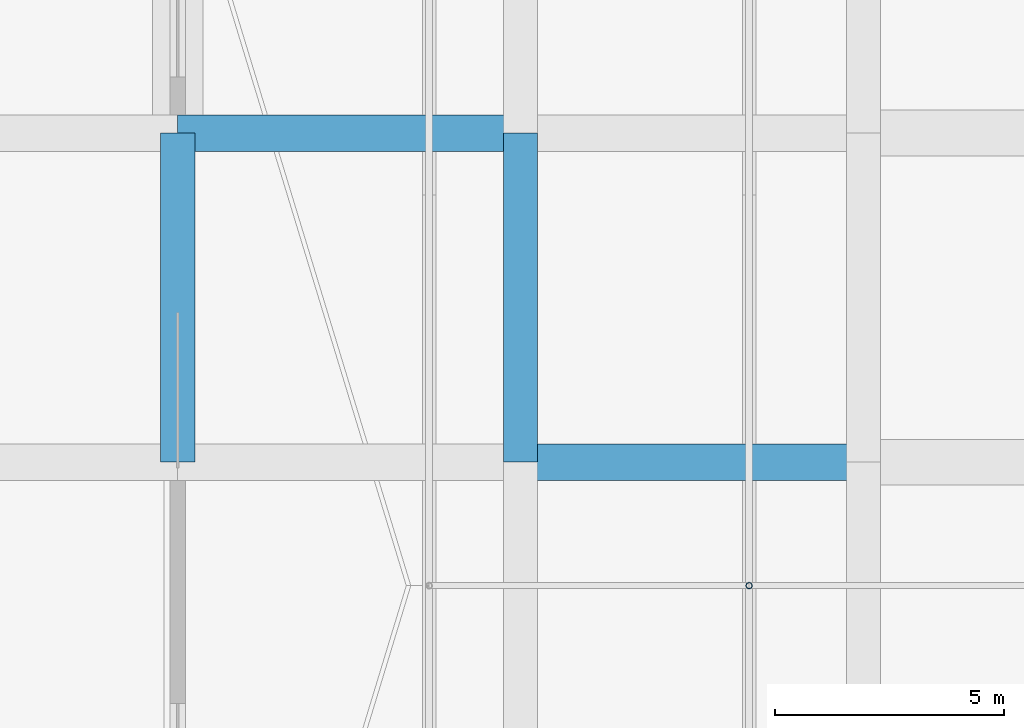
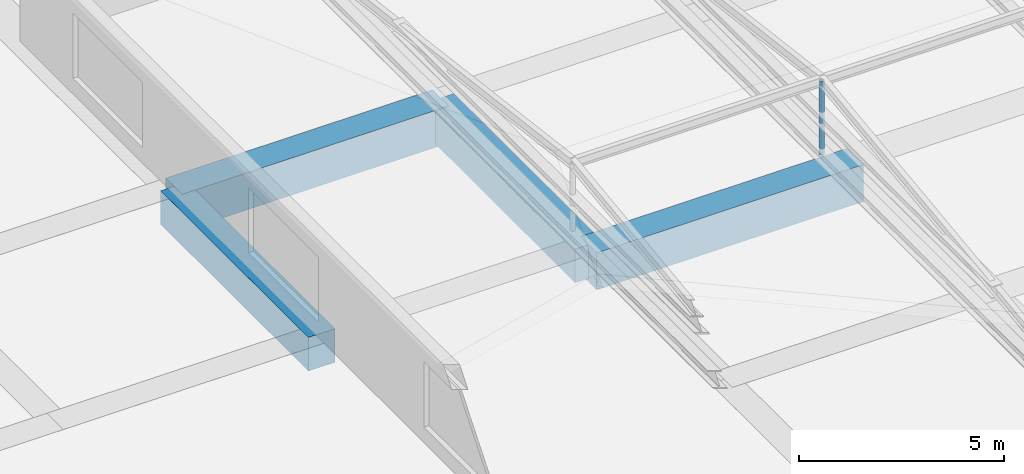
# One storey, part 26 of 49: 4 beams, 1 member.
"""IFC4 building model written with IfcOpenShell, lengths in metres."""

from ifc_helpers import new_model, si_unit, direction, frame, origin, origin_2d, place, context, subcontext, project, spatial, rectangle, hollow_circle, extrude, material, material_profile, profile_set, type_object, element, save


model = new_model("IFC4")

# Units and contexts
model_context = context("Model", 3, precision=1e-05, world=origin(), true_north=direction((0.0, 1.0)))
body_context = subcontext(model_context, "Body", "Model", "MODEL_VIEW")
ifc_project = project(units=[si_unit("LENGTHUNIT", "METRE"), si_unit("AREAUNIT", "SQUARE_METRE"), si_unit("VOLUMEUNIT", "CUBIC_METRE"), si_unit("PLANEANGLEUNIT", "RADIAN"), si_unit("MASSUNIT", "GRAM", prefix="KILO")], contexts=[model_context])

# Site, building, storey
site_placement = place(None, origin())
site = spatial("IfcSite", under=ifc_project, at=site_placement, CompositionType="ELEMENT")
building_placement = place(site_placement, origin())
building = spatial("IfcBuilding", under=site, at=building_placement, Name="Akrevak Sports Hall", CompositionType="ELEMENT")
storey_placement = place(building_placement, frame((0.0, 0.0, 24.14990234375)))
storey = spatial("IfcBuildingStorey", under=building, at=storey_placement, Name="L04", CompositionType="ELEMENT", Elevation=24.14990234375)

# Beams
ifc_material_1 = material(Name="Concrete C50/60", Category="concrete")
ifc_material_profile_1 = material_profile(ifc_material_1, rectangle(XDim=0.75, YDim=1.0, at=origin_2d()), Name="BM 750x1000", Category="concrete")
ifc_profile_set_1 = profile_set([ifc_material_profile_1], Name="Concrete C50/60")
beam_type_1 = type_object("IfcBeamType", Name="STR-BM-RC750x1000", PredefinedType="BEAM", material=ifc_profile_set_1)
for number, where, z_axis, x_axis, name in (
    (1, (130.5, 55.199951171875, -0.5), (0.0, 1.0, 0.0), (-1.0, 0.0, 0.0), "Girder 18/I-J (L04)"),
    (2, (138.0, 55.199951171875, -0.5), (0.0, 1.0, 0.0), (-1.0, 0.0, 0.0), "Girder 19/I-J (L04)"),
):
    element("IfcBeam", number, at=place(storey_placement, frame(where, z_axis=z_axis, x_axis=x_axis)), inside=storey, type_object=beam_type_1, Name=name, PredefinedType="BEAM", context=body_context, shape_type="SweptSolid", body=[
        extrude(rectangle(XDim=0.75, YDim=1.0, at=origin_2d()), origin(), (0.0, 0.0, 1.0), 7.199951171875),
    ])
ifc_material_profile_2 = material_profile(ifc_material_1, rectangle(XDim=0.800048828125, YDim=1.10009765625, at=origin_2d()), Name="BM 800x1100", Category="concrete")
ifc_profile_set_2 = profile_set([ifc_material_profile_2], Name="Concrete C50/60")
beam_type_2 = type_object("IfcBeamType", Name="STR-BM-RC800x1100", PredefinedType="BEAM", material=ifc_profile_set_2)
for number, where, z_axis, x_axis, name in (
    (3, (138.0, 55.199951171875, -0.5498046875), (1.0, 0.0, 0.0), (0.0, 1.0, 0.0), "Girder I/19-20 (L04)"),
    (4, (130.5, 62.39990234375, -0.5498046875), (1.0, 0.0, 0.0), (0.0, 1.0, 0.0), "Girder J/18-19 (L04)"),
):
    element("IfcBeam", number, at=place(storey_placement, frame(where, z_axis=z_axis, x_axis=x_axis)), inside=storey, type_object=beam_type_2, Name=name, PredefinedType="BEAM", context=body_context, shape_type="SweptSolid", body=[
        extrude(rectangle(XDim=0.800048828125, YDim=1.10009765625, at=origin_2d()), origin(), (0.0, 0.0, 1.0), 7.5),
    ])

# Member
ifc_material_2 = material(Name="Steel S355", Category="steel")
ifc_material_profile_3 = material_profile(ifc_material_2, hollow_circle(Radius=0.06982421875, WallThickness=0.008056640625, at=origin_2d()), Name="CHS 139.7x8", Category="steel")
ifc_profile_set_3 = profile_set([ifc_material_profile_3], Name="Steel S355")
member_type = type_object("IfcMemberType", Name="STR-MEM-BRACE-CHS139", PredefinedType="BRACE", material=ifc_profile_set_3)
member_placement = place(storey_placement, frame((143.0, 52.5, 2.60009765625), z_axis=(0.0, 0.0, 1.0), x_axis=(1.0, 0.0, 0.0)))
element("IfcMember", 5, at=member_placement, inside=storey, type_object=member_type, Name="East Volleyball & Climbing Hall Monitor Roof Central King Post 2", PredefinedType="BRACE", context=body_context, shape_type="SweptSolid", body=[
    extrude(hollow_circle(Radius=0.06982421875, WallThickness=0.008056640625, at=origin_2d()), origin(), (0.0, 0.0, 1.0), 2.179931640625),
])

save(model, "model.ifc")
